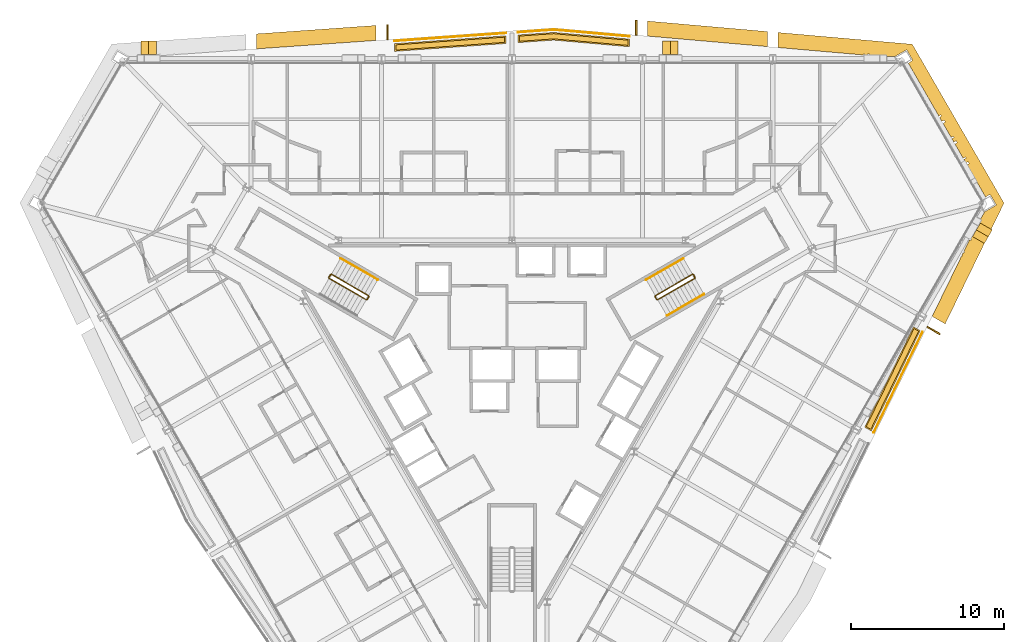
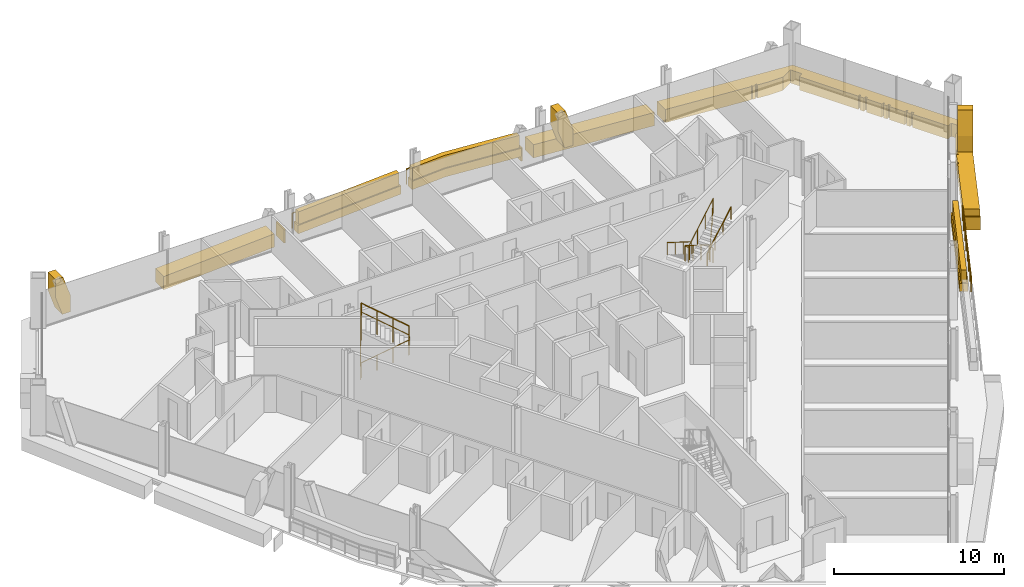
# One storey, part 18 of 18: 15 coverings, 8 railings.
"""IFC4 building model written with IfcOpenShell, lengths in metres."""

from ifc_helpers import new_model, si_unit, direction, frame, origin, origin_2d, place, context, subcontext, project, spatial, polyline, circle, outline, extrude, material, layer, layer_set, type_object, element, save


model = new_model("IFC4")

# Units and contexts
model_context = context("Model", 3, precision=1e-05, world=origin(), true_north=direction((0.0, 1.0)))
body_context = subcontext(model_context, "Body", "Model", "MODEL_VIEW")
ifc_project = project(units=[si_unit("LENGTHUNIT", "METRE"), si_unit("AREAUNIT", "SQUARE_METRE"), si_unit("VOLUMEUNIT", "CUBIC_METRE"), si_unit("PLANEANGLEUNIT", "RADIAN"), si_unit("MASSUNIT", "GRAM", prefix="KILO")], contexts=[model_context])

# Site, building, storey
site_placement = place(None, origin())
site = spatial("IfcSite", under=ifc_project, at=site_placement, CompositionType="ELEMENT")
building_placement = place(site_placement, origin())
building = spatial("IfcBuilding", under=site, at=building_placement, Name="Verrane Prism Tower", CompositionType="ELEMENT")
storey_placement = place(building_placement, frame((0.0, 0.0, 54.800048828125)))
storey = spatial("IfcBuildingStorey", under=building, at=storey_placement, Name="L11", CompositionType="ELEMENT", Elevation=54.800048828125)

# Coverings
ifc_material_1 = material(Name="Planting medium in stone kerb", Category="masonry")
covering_type_1 = type_object("IfcCoveringType", Name="Planter bed 600", PredefinedType="USERDEFINED", material=ifc_material_1)
covering_1_placement = place(storey_placement, origin())
element("IfcCovering", 1, at=covering_1_placement, inside=storey, type_object=covering_type_1, Name="Loggia planter N3 L11", ObjectType="PLANTER", PredefinedType="USERDEFINED", context=body_context, shape_type="SweptSolid", body=[
    extrude(outline(polyline([(7.666015625, 22.3369140625), (2.723388671875, 22.77001953125), (0.39990234375, 22.605712890625), (0.39990234375, 22.105712890625), (2.723388671875, 22.27001953125), (7.666015625, 21.8369140625), (7.666015625, 22.3369140625)])), origin(), (0.0, 0.0, 1.0), 0.599853515625),
])
covering_2_placement = place(storey_placement, origin())
element("IfcCovering", 2, at=covering_2_placement, inside=storey, type_object=covering_type_1, Name="Loggia planter N4 L11", ObjectType="PLANTER", PredefinedType="USERDEFINED", context=body_context, shape_type="SweptSolid", body=[
    extrude(outline(polyline([(-0.39990234375, 22.549072265625), (-7.666015625, 22.034912109375), (-7.666015625, 21.534912109375), (-0.39990234375, 22.049072265625), (-0.39990234375, 22.549072265625)])), origin(), (0.0, 0.0, 1.0), 0.599853515625),
])
covering_3_placement = place(storey_placement, origin())
element("IfcCovering", 3, at=covering_3_placement, inside=storey, type_object=covering_type_1, Name="Loggia planter SE5 L11", ObjectType="PLANTER", PredefinedType="USERDEFINED", context=body_context, shape_type="SweptSolid", body=[
    extrude(outline(polyline([(23.46435546875, -3.251708984375), (26.65234375, 3.2978515625), (26.21923828125, 3.5478515625), (23.03125, -3.001708984375), (23.46435546875, -3.251708984375)])), origin(), (0.0, 0.0, 1.0), 0.599853515625),
])
ifc_material_2 = material(Name="Planted shrubs and grasses", Category="other")
covering_type_2 = type_object("IfcCoveringType", Name="Planting mass 1000", PredefinedType="USERDEFINED", material=ifc_material_2)
covering_4_placement = place(storey_placement, frame((0.0, 0.0, 0.599853515625)))
element("IfcCovering", 4, at=covering_4_placement, inside=storey, type_object=covering_type_2, Name="Loggia planting N3 L11", ObjectType="PLANTING", PredefinedType="USERDEFINED", context=body_context, shape_type="SweptSolid", body=[
    extrude(outline(polyline([(2.72265625, 22.689697265625), (0.47998046875, 22.531005859375), (0.47998046875, 22.19140625), (2.72412109375, 22.35009765625), (7.586181640625, 21.92431640625), (7.586181640625, 22.263671875), (2.72265625, 22.689697265625)])), origin(), (0.0, 0.0, 1.0), 0.900146484375),
])
covering_5_placement = place(storey_placement, frame((0.0, 0.0, 0.599853515625)))
element("IfcCovering", 5, at=covering_5_placement, inside=storey, type_object=covering_type_2, Name="Loggia planting N4 L11", ObjectType="PLANTING", PredefinedType="USERDEFINED", context=body_context, shape_type="SweptSolid", body=[
    extrude(outline(polyline([(-7.586181640625, 21.96044921875), (-7.586181640625, 21.620849609375), (-0.47998046875, 22.12353515625), (-0.47998046875, 22.463134765625), (-7.586181640625, 21.96044921875)])), origin(), (0.0, 0.0, 1.0), 0.900146484375),
])
covering_6_placement = place(storey_placement, frame((0.0, 0.0, 0.599853515625)))
element("IfcCovering", 6, at=covering_6_placement, inside=storey, type_object=covering_type_2, Name="Loggia planting SE5 L11", ObjectType="PLANTING", PredefinedType="USERDEFINED", context=body_context, shape_type="SweptSolid", body=[
    extrude(outline(polyline([(26.547607421875, 3.265869140625), (26.253662109375, 3.435791015625), (23.135986328125, -2.9697265625), (23.429931640625, -3.139404296875), (26.547607421875, 3.265869140625)])), origin(), (0.0, 0.0, 1.0), 0.900146484375),
])

# Railings
ifc_material_3 = material(Name="Steel A36 rail and posts, no infill", Category="steel")
railing_type_1 = type_object("IfcRailingType", Name="Stair guard 1100 steel rail and posts", PredefinedType="GUARDRAIL", material=ifc_material_3)
railing_1_placement = place(storey_placement, frame((11.78955078125, 6.97998046875, 0.16357421875)))
element("IfcRailing", 7, at=railing_1_placement, inside=storey, type_object=railing_type_1, Name="Stair 1 guard", PredefinedType="GUARDRAIL", context=body_context, shape_type="SweptSolid", body=[
    extrude(circle(Radius=0.02392578125, at=origin_2d()), frame((0.0, 0.0, 1.076171875), z_axis=(-0.747665513933, -0.431721881032, 0.504591415616), x_axis=(0.500049511043, -0.865996816683, 0.0)), (0.0, 0.0, 1.0), 3.2431640625),
    extrude(circle(Radius=0.02392578125, at=origin_2d()), frame((-2.4248046875, -1.400146484375, 2.71240234375), z_axis=(-0.259601060869, -0.965715946433, 0.0), x_axis=(0.965715946433, -0.259601060869, 0.0)), (0.0, 0.0, 1.0), 0.070556640625),
    extrude(circle(Radius=0.02392578125, at=origin_2d()), frame((-2.443115234375, -1.46826171875, 2.71240234375), z_axis=(0.499158860599, -0.866510491504, 0.0), x_axis=(0.866510491504, 0.499158860599, 0.0)), (0.0, 0.0, 1.0), 0.199951171875),
    extrude(circle(Radius=0.02392578125, at=origin_2d()), frame((-2.34326171875, -1.6416015625, 2.71240234375), z_axis=(0.383552647116, -0.102737316192, 0.917786691313), x_axis=(0.258736085224, 0.965948051503, 0.0)), (0.0, 0.0, 1.0), 0.17822265625),
    extrude(circle(Radius=0.02392578125, at=origin_2d()), frame((-2.27490234375, -1.659912109375, 2.8759765625), z_axis=(0.747693913401, 0.431738279637, 0.504535300807), x_axis=(-0.500049511043, 0.865996816683, 0.0)), (0.0, 0.0, 1.0), 3.2431640625),
    extrude(circle(Radius=0.02392578125, at=origin_2d()), frame((0.14990234375, -0.259765625, 4.51220703125), z_axis=(-0.022595193939, 0.066906128161, -0.9975033971), x_axis=(-0.947430582667, -0.3199613899, 0.0)), (0.0, 0.0, 1.0), 3.60888671875),
    extrude(circle(Radius=0.02392578125, at=origin_2d()), frame((0.068359375, -0.018310546875, 0.91259765625), z_axis=(0.499158860599, -0.866510491504, 0.0), x_axis=(0.866510491504, 0.499158860599, 0.0)), (0.0, 0.0, 1.0), 0.199951171875),
    extrude(circle(Radius=0.02099609375, at=origin_2d()), origin(), (0.0, 0.0, 1.0), 1.052001953125),
    extrude(circle(Radius=0.02099609375, at=origin_2d()), frame((-0.808349609375, -0.466796875, 0.54541015625)), (0.0, 0.0, 1.0), 1.052001953125),
    extrude(circle(Radius=0.02099609375, at=origin_2d()), frame((-1.616455078125, -0.933349609375, 1.091064453125)), (0.0, 0.0, 1.0), 1.052001953125),
    extrude(circle(Radius=0.02099609375, at=origin_2d()), frame((-2.4248046875, -1.400146484375, 1.636474609375)), (0.0, 0.0, 1.0), 1.052001953125),
    extrude(circle(Radius=0.02099609375, at=origin_2d()), frame((-2.443115234375, -1.46826171875, 1.636474609375)), (0.0, 0.0, 1.0), 1.052001953125),
    extrude(circle(Radius=0.02099609375, at=origin_2d()), frame((-2.34326171875, -1.6416015625, 1.636474609375)), (0.0, 0.0, 1.0), 1.052001953125),
    extrude(circle(Radius=0.02099609375, at=origin_2d()), frame((-2.27490234375, -1.659912109375, 1.800048828125)), (0.0, 0.0, 1.0), 1.052001953125),
    extrude(circle(Radius=0.02099609375, at=origin_2d()), frame((-1.466552734375, -1.193115234375, 2.345458984375)), (0.0, 0.0, 1.0), 1.052001953125),
    extrude(circle(Radius=0.02099609375, at=origin_2d()), frame((-0.658447265625, -0.7265625, 2.890869140625)), (0.0, 0.0, 1.0), 1.052001953125),
    extrude(circle(Radius=0.02099609375, at=origin_2d()), frame((0.14990234375, -0.259765625, 3.436279296875)), (0.0, 0.0, 1.0), 1.052001953125),
    extrude(circle(Radius=0.02099609375, at=origin_2d()), frame((0.12939453125, -0.199462890625, 2.536376953125)), (0.0, 0.0, 1.0), 1.052001953125),
    extrude(circle(Radius=0.02099609375, at=origin_2d()), frame((0.109130859375, -0.13916015625, 1.63623046875)), (0.0, 0.0, 1.0), 1.052001953125),
    extrude(circle(Radius=0.02099609375, at=origin_2d()), frame((0.0888671875, -0.07861328125, 0.736328125)), (0.0, 0.0, 1.0), 1.052001953125),
    extrude(circle(Radius=0.02099609375, at=origin_2d()), frame((0.068359375, -0.018310546875, -0.16357421875)), (0.0, 0.0, 1.0), 1.052001953125),
    extrude(circle(Radius=0.02099609375, at=origin_2d()), frame((0.168212890625, -0.191650390625, -0.16357421875)), (0.0, 0.0, 1.0), 1.052001953125),
])
railing_2_placement = place(storey_placement, frame((-11.939453125, 6.72021484375, 0.16357421875)))
element("IfcRailing", 8, at=railing_2_placement, inside=storey, type_object=railing_type_1, Name="Stair 2 guard", PredefinedType="GUARDRAIL", context=body_context, shape_type="SweptSolid", body=[
    extrude(circle(Radius=0.02392578125, at=origin_2d()), frame((0.0, 0.0, 1.076171875), z_axis=(0.747665513933, -0.431721881032, 0.504591415616), x_axis=(0.500049511043, 0.865996816683, 0.0)), (0.0, 0.0, 1.0), 3.2431640625),
    extrude(circle(Radius=0.02392578125, at=origin_2d()), frame((2.4248046875, -1.400146484375, 2.71240234375), z_axis=(0.965948051503, 0.258736085224, 0.0), x_axis=(-0.258736085224, 0.965948051503, 0.0)), (0.0, 0.0, 1.0), 0.07080078125),
    extrude(circle(Radius=0.02392578125, at=origin_2d()), frame((2.4931640625, -1.3818359375, 2.71240234375), z_axis=(0.499158860599, 0.866510491504, 0.0), x_axis=(-0.866510491504, 0.499158860599, 0.0)), (0.0, 0.0, 1.0), 0.199951171875),
    extrude(circle(Radius=0.02392578125, at=origin_2d()), frame((2.593017578125, -1.20849609375, 2.71240234375), z_axis=(-0.102791240646, 0.382383415203, 0.918268416436), x_axis=(-0.965715946433, -0.259601060869, 0.0)), (0.0, 0.0, 1.0), 0.17822265625),
    extrude(circle(Radius=0.02392578125, at=origin_2d()), frame((2.57470703125, -1.140380859375, 2.8759765625), z_axis=(-0.747693913401, 0.431738279637, 0.504535300807), x_axis=(-0.500049511043, -0.865996816683, 0.0)), (0.0, 0.0, 1.0), 3.2431640625),
    extrude(circle(Radius=0.02392578125, at=origin_2d()), frame((0.14990234375, 0.259765625, 4.51220703125), z_axis=(-0.046610908435, -0.053105316576, -0.997500500534), x_axis=(0.751567565678, -0.659656118156, 0.0)), (0.0, 0.0, 1.0), 3.60888671875),
    extrude(circle(Radius=0.02392578125, at=origin_2d()), frame((-0.018310546875, 0.068115234375, 0.91259765625), z_axis=(0.499158860599, 0.866510491504, 0.0), x_axis=(-0.866510491504, 0.499158860599, 0.0)), (0.0, 0.0, 1.0), 0.199951171875),
    extrude(circle(Radius=0.02099609375, at=origin_2d()), origin(), (0.0, 0.0, 1.0), 1.052001953125),
    extrude(circle(Radius=0.02099609375, at=origin_2d()), frame((0.808349609375, -0.466796875, 0.54541015625)), (0.0, 0.0, 1.0), 1.052001953125),
    extrude(circle(Radius=0.02099609375, at=origin_2d()), frame((1.616455078125, -0.933349609375, 1.091064453125)), (0.0, 0.0, 1.0), 1.052001953125),
    extrude(circle(Radius=0.02099609375, at=origin_2d()), frame((2.4248046875, -1.400146484375, 1.636474609375)), (0.0, 0.0, 1.0), 1.052001953125),
    extrude(circle(Radius=0.02099609375, at=origin_2d()), frame((2.4931640625, -1.3818359375, 1.636474609375)), (0.0, 0.0, 1.0), 1.052001953125),
    extrude(circle(Radius=0.02099609375, at=origin_2d()), frame((2.593017578125, -1.20849609375, 1.636474609375)), (0.0, 0.0, 1.0), 1.052001953125),
    extrude(circle(Radius=0.02099609375, at=origin_2d()), frame((2.57470703125, -1.140380859375, 1.800048828125)), (0.0, 0.0, 1.0), 1.052001953125),
    extrude(circle(Radius=0.02099609375, at=origin_2d()), frame((1.766357421875, -0.673583984375, 2.345458984375)), (0.0, 0.0, 1.0), 1.052001953125),
    extrude(circle(Radius=0.02099609375, at=origin_2d()), frame((0.958251953125, -0.20703125, 2.890869140625)), (0.0, 0.0, 1.0), 1.052001953125),
    extrude(circle(Radius=0.02099609375, at=origin_2d()), frame((0.14990234375, 0.259765625, 3.436279296875)), (0.0, 0.0, 1.0), 1.052001953125),
    extrude(circle(Radius=0.02099609375, at=origin_2d()), frame((0.10791015625, 0.2119140625, 2.536376953125)), (0.0, 0.0, 1.0), 1.052001953125),
    extrude(circle(Radius=0.02099609375, at=origin_2d()), frame((0.06591796875, 0.1640625, 1.63623046875)), (0.0, 0.0, 1.0), 1.052001953125),
    extrude(circle(Radius=0.02099609375, at=origin_2d()), frame((0.023681640625, 0.115966796875, 0.736328125)), (0.0, 0.0, 1.0), 1.052001953125),
    extrude(circle(Radius=0.02099609375, at=origin_2d()), frame((-0.018310546875, 0.068115234375, -0.16357421875)), (0.0, 0.0, 1.0), 1.052001953125),
    extrude(circle(Radius=0.02099609375, at=origin_2d()), frame((0.08154296875, 0.241455078125, -0.16357421875)), (0.0, 0.0, 1.0), 1.052001953125),
])
ifc_material_4 = material(Name="Steel A36 tube", Category="steel")
railing_type_2 = type_object("IfcRailingType", Name="Stair handrail 900 steel tube", PredefinedType="HANDRAIL", material=ifc_material_4)
railing_3_placement = place(storey_placement, frame((11.189453125, 8.01904296875, 0.16357421875)))
element("IfcRailing", 9, at=railing_3_placement, inside=storey, type_object=railing_type_2, Name="Stair 1 handrail", PredefinedType="HANDRAIL", context=body_context, shape_type="SweptSolid", body=[
    extrude(circle(Radius=0.02392578125, at=origin_2d()), frame((0.0, 0.0, 0.8759765625), z_axis=(-0.747689811644, -0.431660630283, 0.504607813879), x_axis=(0.49998411664, -0.866034573852, 0.0)), (0.0, 0.0, 1.0), 3.2431640625),
    extrude(circle(Radius=0.02099609375, at=origin_2d()), origin(), (0.0, 0.0, 1.0), 0.851806640625),
    extrude(circle(Radius=0.02099609375, at=origin_2d()), frame((-0.808349609375, -0.466552734375, 0.54541015625)), (0.0, 0.0, 1.0), 0.851806640625),
    extrude(circle(Radius=0.02099609375, at=origin_2d()), frame((-1.616455078125, -0.933349609375, 1.091064453125)), (0.0, 0.0, 1.0), 0.851806640625),
    extrude(circle(Radius=0.02099609375, at=origin_2d()), frame((-2.4248046875, -1.39990234375, 1.636474609375)), (0.0, 0.0, 1.0), 0.851806640625),
])
railing_4_placement = place(storey_placement, frame((10.11474609375, 4.28076171875, 1.963623046875)))
element("IfcRailing", 10, at=railing_4_placement, inside=storey, type_object=railing_type_2, Name="Stair 1 handrail", PredefinedType="HANDRAIL", context=body_context, shape_type="SweptSolid", body=[
    extrude(circle(Radius=0.02392578125, at=origin_2d()), frame((0.0, 0.0, 0.8759765625), z_axis=(0.747693913401, 0.431738279637, 0.504535300807), x_axis=(-0.500049511043, 0.865996816683, 0.0)), (0.0, 0.0, 1.0), 3.2431640625),
    extrude(circle(Radius=0.02099609375, at=origin_2d()), origin(), (0.0, 0.0, 1.0), 0.851806640625),
    extrude(circle(Radius=0.02099609375, at=origin_2d()), frame((0.808349609375, 0.466796875, 0.54541015625)), (0.0, 0.0, 1.0), 0.851806640625),
    extrude(circle(Radius=0.02099609375, at=origin_2d()), frame((1.616455078125, 0.933349609375, 1.0908203125)), (0.0, 0.0, 1.0), 0.851806640625),
    extrude(circle(Radius=0.02099609375, at=origin_2d()), frame((2.4248046875, 1.400146484375, 1.63623046875)), (0.0, 0.0, 1.0), 0.851806640625),
])
railing_5_placement = place(storey_placement, frame((-8.7646484375, 6.619140625, 1.963623046875)))
element("IfcRailing", 11, at=railing_5_placement, inside=storey, type_object=railing_type_2, Name="Stair 2 handrail", PredefinedType="HANDRAIL", context=body_context, shape_type="SweptSolid", body=[
    extrude(circle(Radius=0.02392578125, at=origin_2d()), frame((0.0, 0.0, 0.8759765625), z_axis=(-0.74771821388, 0.431677027627, 0.504551698492), x_axis=(-0.49998411664, -0.866034573852, 0.0)), (0.0, 0.0, 1.0), 3.242919921875),
    extrude(circle(Radius=0.02099609375, at=origin_2d()), origin(), (0.0, 0.0, 1.0), 0.851806640625),
    extrude(circle(Radius=0.02099609375, at=origin_2d()), frame((-0.808349609375, 0.466552734375, 0.54541015625)), (0.0, 0.0, 1.0), 0.851806640625),
    extrude(circle(Radius=0.02099609375, at=origin_2d()), frame((-1.616455078125, 0.933349609375, 1.0908203125)), (0.0, 0.0, 1.0), 0.851806640625),
    extrude(circle(Radius=0.02099609375, at=origin_2d()), frame((-2.4248046875, 1.39990234375, 1.63623046875)), (0.0, 0.0, 1.0), 0.851806640625),
])

# Coverings
ifc_material_5 = material(Name="Warm limestone cladding", Category="masonry")
ifc_layer_1 = layer(ifc_material_5, 0.89990234375)
ifc_layer_set_1 = layer_set([ifc_layer_1], Name="Stone brace fin 900")
covering_type_3 = type_object("IfcCoveringType", Name="Stone brace fin 900", PredefinedType="CLADDING", material=ifc_layer_set_1)
covering_7_placement = place(storey_placement, frame((10.8515625, 21.77392578125, 0.0), z_axis=(0.0, 0.0, 1.0), x_axis=(-1.0, 0.0, 0.0)))
element("IfcCovering", 12, at=covering_7_placement, inside=storey, type_object=covering_type_3, Name="Stone brace fin N2 L11", PredefinedType="CLADDING", context=body_context, shape_type="SweptSolid", body=[
    extrude(outline(polyline([(1.015869140625, 2.64990234375), (0.501953125, 2.64990234375), (0.0, 1.163818359375), (0.0, 0.0), (0.556884765625, 0.0), (1.015869140625, 1.359130859375), (1.015869140625, 2.64990234375)])), frame((0.0, 0.449951171875, 0.0), z_axis=(0.0, -1.0, 0.0), x_axis=(1.0, 0.0, 0.0)), (0.0, 0.0, 1.0), 0.89990234375),
])
covering_8_placement = place(storey_placement, frame((-23.2158203125, 21.77392578125, 0.0), z_axis=(0.0, 0.0, 1.0), x_axis=(-1.0, 0.0, 0.0)))
element("IfcCovering", 13, at=covering_8_placement, inside=storey, type_object=covering_type_3, Name="Stone brace fin N6 L11", PredefinedType="CLADDING", context=body_context, shape_type="SweptSolid", body=[
    extrude(outline(polyline([(1.01708984375, 2.64990234375), (0.5029296875, 2.64990234375), (0.0, 1.162353515625), (0.0, 0.0), (0.556884765625, 0.0), (1.01708984375, 1.3603515625), (1.01708984375, 2.64990234375)])), frame((0.0, 0.449951171875, 0.0), z_axis=(0.0, -1.0, 0.0), x_axis=(1.0, 0.0, 0.0)), (0.0, 0.0, 1.0), 0.89990234375),
])
covering_9_placement = place(storey_placement, frame((30.46240234375, 9.218505859375, 0.0), z_axis=(0.0, 0.0, 1.0), x_axis=(0.500401666258, 0.865793377433, 0.0)))
element("IfcCovering", 14, at=covering_9_placement, inside=storey, type_object=covering_type_3, Name="Stone brace fin SE6 L11", PredefinedType="CLADDING", context=body_context, shape_type="SweptSolid", body=[
    extrude(outline(polyline([(1.01611328125, 2.64990234375), (0.502197265625, 2.64990234375), (0.0, 1.163330078125), (0.0, 0.0), (0.556884765625, 0.0), (1.01611328125, 1.359375), (1.01611328125, 2.64990234375)])), frame((0.0, 0.449951171875, 0.0), z_axis=(0.0, -1.0, 0.0), x_axis=(1.0, 0.0, 0.0)), (0.0, 0.0, 1.0), 0.89990234375),
])
ifc_material_6 = material(Name="Warm limestone cladding", Category="masonry")
ifc_layer_2 = layer(ifc_material_6, 0.449951171875)
ifc_layer_set_2 = layer_set([ifc_layer_2], Name="Stone spandrel band 450")
covering_type_4 = type_object("IfcCoveringType", Name="Stone spandrel band 450", PredefinedType="CLADDING", material=ifc_layer_set_2)
covering_10_placement = place(storey_placement, frame((0.0, 0.0, -0.949951171875)))
element("IfcCovering", 15, at=covering_10_placement, inside=storey, type_object=covering_type_4, Name="Stone spandrel band L11 part 2", PredefinedType="CLADDING", context=body_context, shape_type="SweptSolid", body=[
    extrude(outline(polyline([(17.382080078125, 21.78564453125), (22.94287109375, 21.29833984375), (22.94287109375, 21.3701171875), (23.015625, 21.3701171875), (23.015625, 21.2919921875), (23.2158203125, 21.2744140625), (23.2158203125, 21.3701171875), (23.33154296875, 21.3701171875), (23.33154296875, 21.26416015625), (24.026611328125, 21.203369140625), (25.02099609375, 21.203369140625), (25.775634765625, 21.63916015625), (26.15576171875, 20.98095703125), (26.136474609375, 20.9697265625), (26.08642578125, 20.886474609375), (25.877685546875, 20.76611328125), (27.8857421875, 17.2880859375), (27.98779296875, 17.385986328125), (28.04931640625, 17.32177734375), (27.931396484375, 17.208984375), (28.074462890625, 16.96142578125), (28.218994140625, 17.044921875), (28.2939453125, 16.9150390625), (28.1494140625, 16.83154296875), (28.681396484375, 15.91015625), (28.82568359375, 15.993408203125), (28.870849609375, 15.9150390625), (28.7265625, 15.831787109375), (28.856201171875, 15.607421875), (29.000244140625, 15.6904296875), (29.0751953125, 15.560791015625), (28.93115234375, 15.4775390625), (29.463134765625, 14.555908203125), (29.607177734375, 14.638916015625), (29.652099609375, 14.560791015625), (29.50830078125, 14.477783203125), (29.637939453125, 14.25341796875), (29.78173828125, 14.336181640625), (29.856689453125, 14.206298828125), (29.712890625, 14.12353515625), (30.92236328125, 12.028564453125), (31.12939453125, 12.148193359375), (31.226806640625, 12.148193359375), (31.24560546875, 12.1591796875), (31.625732421875, 11.5009765625), (30.87255859375, 11.06591796875), (30.194091796875, 9.89111328125), (30.04833984375, 9.591552734375), (30.170654296875, 9.52099609375), (30.112548828125, 9.420654296875), (29.99755859375, 9.4873046875), (29.909912109375, 9.306884765625), (30.012451171875, 9.24755859375), (29.97607421875, 9.1845703125), (29.8779296875, 9.2412109375), (29.514892578125, 8.495361328125), (29.56201171875, 8.468017578125), (29.50390625, 8.367919921875), (29.464111328125, 8.39111328125), (29.36962890625, 8.197265625), (29.3955078125, 8.1806640625), (29.35498046875, 8.1181640625), (29.3369140625, 8.1298828125), (27.4384765625, 4.2294921875), (28.28759765625, 3.7392578125), (32.128173828125, 11.629638671875), (26.140869140625, 22.0), (17.382080078125, 22.767333984375), (17.382080078125, 21.78564453125)])), origin(), (0.0, 0.0, 1.0), 0.949951171875),
])
covering_11_placement = place(storey_placement, frame((0.0, 0.0, -0.949951171875)))
element("IfcCovering", 16, at=covering_11_placement, inside=storey, type_object=covering_type_4, Name="Stone spandrel band L11 part 8", PredefinedType="CLADDING", context=body_context, shape_type="SweptSolid", body=[
    extrude(outline(polyline([(16.68212890625, 22.828857421875), (8.8662109375, 23.513671875), (8.8662109375, 22.531982421875), (16.68212890625, 21.846923828125), (16.68212890625, 22.828857421875)])), origin(), (0.0, 0.0, 1.0), 0.949951171875),
])
covering_12_placement = place(storey_placement, frame((0.0, 0.0, -0.949951171875)))
element("IfcCovering", 17, at=covering_12_placement, inside=storey, type_object=covering_type_4, Name="Stone spandrel band L11 part 9", PredefinedType="CLADDING", context=body_context, shape_type="SweptSolid", body=[
    extrude(outline(polyline([(-16.68212890625, 21.697265625), (-8.8662109375, 22.25), (-8.8662109375, 23.230712890625), (-16.68212890625, 22.677734375), (-16.68212890625, 21.697265625)])), origin(), (0.0, 0.0, 1.0), 0.949951171875),
])
covering_13_placement = place(storey_placement, frame((0.0, 0.0, -0.949951171875)))
element("IfcCovering", 18, at=covering_13_placement, inside=storey, type_object=covering_type_4, Name="Stone spandrel band L11 part 13", PredefinedType="CLADDING", context=body_context, shape_type="SweptSolid", body=[
    extrude(outline(polyline([(27.08740234375, 3.508544921875), (27.936767578125, 3.018310546875), (27.98046875, 3.1083984375), (27.13134765625, 3.5986328125), (27.08740234375, 3.508544921875)])), origin(), (0.0, 0.0, 1.0), 0.949951171875),
])
covering_14_placement = place(storey_placement, frame((0.0, 0.0, -0.949951171875)))
element("IfcCovering", 19, at=covering_14_placement, inside=storey, type_object=covering_type_4, Name="Stone spandrel band L11 part 14", PredefinedType="CLADDING", context=body_context, shape_type="SweptSolid", body=[
    extrude(outline(polyline([(8.066162109375, 23.583740234375), (8.066162109375, 22.60205078125), (8.166015625, 22.59326171875), (8.166015625, 23.5751953125), (8.066162109375, 23.583740234375)])), origin(), (0.0, 0.0, 1.0), 0.949951171875),
])
covering_15_placement = place(storey_placement, frame((0.0, 0.0, -0.949951171875)))
element("IfcCovering", 20, at=covering_15_placement, inside=storey, type_object=covering_type_4, Name="Stone spandrel band L11 part 15", PredefinedType="CLADDING", context=body_context, shape_type="SweptSolid", body=[
    extrude(outline(polyline([(-8.066162109375, 22.306640625), (-8.066162109375, 23.287109375), (-8.166015625, 23.280029296875), (-8.166015625, 22.299560546875), (-8.066162109375, 22.306640625)])), origin(), (0.0, 0.0, 1.0), 0.949951171875),
])

# Railings
ifc_material_7 = material(Name="Stainless steel and laminated glass", Category="steel")
railing_type_3 = type_object("IfcRailingType", Name="Terrace guard 1100", PredefinedType="GUARDRAIL", material=ifc_material_7)
railing_6_placement = place(storey_placement, frame((7.666015625, 22.516845703125, 0.0)))
element("IfcRailing", 21, at=railing_6_placement, inside=storey, type_object=railing_type_3, Name="Loggia guard N3 L11", PredefinedType="GUARDRAIL", context=body_context, shape_type="SweptSolid", body=[
    extrude(circle(Radius=0.02392578125, at=origin_2d()), frame((0.0, 0.0, 1.076171875), z_axis=(-0.996182760478, 0.08729208284, 0.0), x_axis=(-0.08729208284, -0.996182760478, 0.0)), (0.0, 0.0, 1.0), 4.961669921875),
    extrude(circle(Radius=0.02392578125, at=origin_2d()), frame((-4.942626953125, 0.43310546875, 1.076171875), z_axis=(-0.997508993354, -0.070539408693, 0.0), x_axis=(0.070539408693, -0.997508993354, 0.0)), (0.0, 0.0, 1.0), 2.329345703125),
    extrude(circle(Radius=0.02099609375, at=origin_2d()), origin(), (0.0, 0.0, 1.0), 1.052001953125),
    extrude(circle(Radius=0.02099609375, at=origin_2d()), frame((-0.988525390625, 0.086669921875, 0.0)), (0.0, 0.0, 1.0), 1.052001953125),
    extrude(circle(Radius=0.02099609375, at=origin_2d()), frame((-1.97705078125, 0.17333984375, 0.0)), (0.0, 0.0, 1.0), 1.052001953125),
    extrude(circle(Radius=0.02099609375, at=origin_2d()), frame((-2.965576171875, 0.259765625, 0.0)), (0.0, 0.0, 1.0), 1.052001953125),
    extrude(circle(Radius=0.02099609375, at=origin_2d()), frame((-3.9541015625, 0.346435546875, 0.0)), (0.0, 0.0, 1.0), 1.052001953125),
    extrude(circle(Radius=0.02099609375, at=origin_2d()), frame((-4.942626953125, 0.43310546875, 0.0)), (0.0, 0.0, 1.0), 1.052001953125),
    extrude(circle(Radius=0.02099609375, at=origin_2d()), frame((-6.1044921875, 0.35107421875, 0.0)), (0.0, 0.0, 1.0), 1.052001953125),
    extrude(circle(Radius=0.02099609375, at=origin_2d()), frame((-7.26611328125, 0.268798828125, 0.0)), (0.0, 0.0, 1.0), 1.052001953125),
])
railing_7_placement = place(storey_placement, frame((-0.39990234375, 22.72900390625, 0.0)))
element("IfcRailing", 22, at=railing_7_placement, inside=storey, type_object=railing_type_3, Name="Loggia guard N4 L11", PredefinedType="GUARDRAIL", context=body_context, shape_type="SweptSolid", body=[
    extrude(circle(Radius=0.02392578125, at=origin_2d()), frame((0.0, 0.0, 1.076171875), z_axis=(-0.997508136137, -0.070551529688, 0.0), x_axis=(0.070551529688, -0.997508136137, 0.0)), (0.0, 0.0, 1.0), 7.2841796875),
    extrude(circle(Radius=0.02099609375, at=origin_2d()), origin(), (0.0, 0.0, 1.0), 1.052001953125),
    extrude(circle(Radius=0.02099609375, at=origin_2d()), frame((-1.0380859375, -0.073486328125, 0.0)), (0.0, 0.0, 1.0), 1.052001953125),
    extrude(circle(Radius=0.02099609375, at=origin_2d()), frame((-2.075927734375, -0.146728515625, 0.0)), (0.0, 0.0, 1.0), 1.052001953125),
    extrude(circle(Radius=0.02099609375, at=origin_2d()), frame((-3.114013671875, -0.22021484375, 0.0)), (0.0, 0.0, 1.0), 1.052001953125),
    extrude(circle(Radius=0.02099609375, at=origin_2d()), frame((-4.152099609375, -0.293701171875, 0.0)), (0.0, 0.0, 1.0), 1.052001953125),
    extrude(circle(Radius=0.02099609375, at=origin_2d()), frame((-5.190185546875, -0.3671875, 0.0)), (0.0, 0.0, 1.0), 1.052001953125),
    extrude(circle(Radius=0.02099609375, at=origin_2d()), frame((-6.22802734375, -0.4404296875, 0.0)), (0.0, 0.0, 1.0), 1.052001953125),
    extrude(circle(Radius=0.02099609375, at=origin_2d()), frame((-7.26611328125, -0.513916015625, 0.0)), (0.0, 0.0, 1.0), 1.052001953125),
])
railing_8_placement = place(storey_placement, frame((23.6201171875, -3.341796875, 0.0)))
element("IfcRailing", 23, at=railing_8_placement, inside=storey, type_object=railing_type_3, Name="Loggia guard SE5 L11", PredefinedType="GUARDRAIL", context=body_context, shape_type="SweptSolid", body=[
    extrude(circle(Radius=0.02392578125, at=origin_2d()), frame((0.0, 0.0, 1.076171875), z_axis=(0.437642967361, 0.899148838135, 0.0), x_axis=(-0.899148838135, 0.437642967361, 0.0)), (0.0, 0.0, 1.0), 7.284423828125),
    extrude(circle(Radius=0.02099609375, at=origin_2d()), origin(), (0.0, 0.0, 1.0), 1.052001953125),
    extrude(circle(Radius=0.02099609375, at=origin_2d()), frame((0.455322265625, 0.935791015625, 0.0)), (0.0, 0.0, 1.0), 1.052001953125),
    extrude(circle(Radius=0.02099609375, at=origin_2d()), frame((0.910888671875, 1.871337890625, 0.0)), (0.0, 0.0, 1.0), 1.052001953125),
    extrude(circle(Radius=0.02099609375, at=origin_2d()), frame((1.3662109375, 2.80712890625, 0.0)), (0.0, 0.0, 1.0), 1.052001953125),
    extrude(circle(Radius=0.02099609375, at=origin_2d()), frame((1.82177734375, 3.74267578125, 0.0)), (0.0, 0.0, 1.0), 1.052001953125),
    extrude(circle(Radius=0.02099609375, at=origin_2d()), frame((2.277099609375, 4.678466796875, 0.0)), (0.0, 0.0, 1.0), 1.052001953125),
    extrude(circle(Radius=0.02099609375, at=origin_2d()), frame((2.732666015625, 5.614013671875, 0.0)), (0.0, 0.0, 1.0), 1.052001953125),
    extrude(circle(Radius=0.02099609375, at=origin_2d()), frame((3.18798828125, 6.5498046875, 0.0)), (0.0, 0.0, 1.0), 1.052001953125),
])

save(model, "model.ifc")
